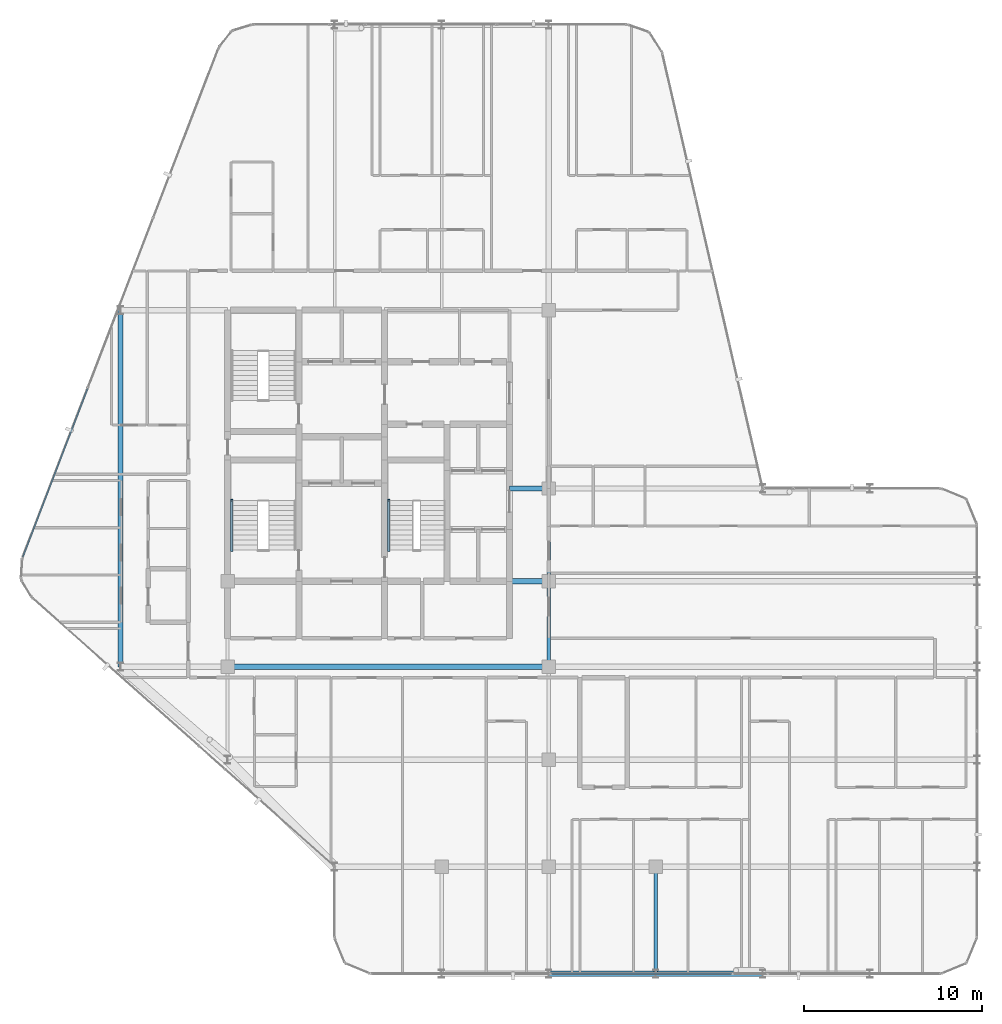
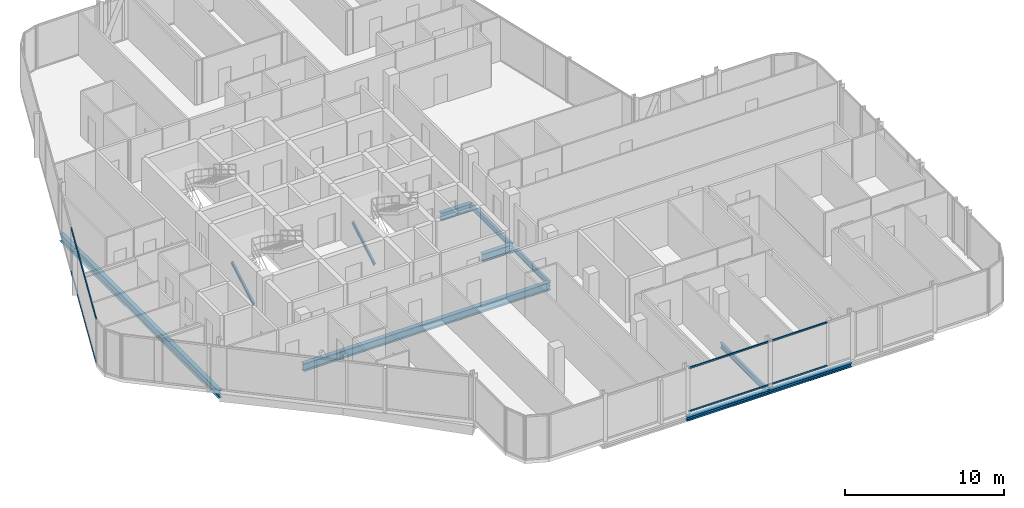
# One storey, part 9 of 29: 9 beams, 6 members, 2 elements without a shape of their own.
"""IFC4 building model written with IfcOpenShell, lengths in metres."""

from ifc_helpers import new_model, si_unit, direction, frame, origin, origin_2d, place, context, subcontext, project, spatial, hollow_rectangle, i_section, extrude, material, layer, layer_set, material_profile, profile_set, type_object, element, aggregate, save


model = new_model("IFC4")

# Units and contexts
model_context = context("Model", 3, precision=1e-05, world=origin(), true_north=direction((0.0, 1.0)))
body_context = subcontext(model_context, "Body", "Model", "MODEL_VIEW")
ifc_project = project(units=[si_unit("LENGTHUNIT", "METRE"), si_unit("AREAUNIT", "SQUARE_METRE"), si_unit("VOLUMEUNIT", "CUBIC_METRE"), si_unit("PLANEANGLEUNIT", "RADIAN"), si_unit("MASSUNIT", "GRAM", prefix="KILO")], contexts=[model_context])

# Site, building, storey
site_placement = place(None, origin())
site = spatial("IfcSite", under=ifc_project, at=site_placement, CompositionType="ELEMENT")
building_placement = place(site_placement, origin())
building = spatial("IfcBuilding", under=site, at=building_placement, Name="Keshet Zoharim Tower", CompositionType="ELEMENT")
storey_placement = place(building_placement, frame((0.0, 0.0, 210.60009765625)))
storey = spatial("IfcBuildingStorey", under=building, at=storey_placement, Name="L52", CompositionType="ELEMENT", Elevation=210.60009765625)

# Beams
ifc_material_1 = material(Name="Steel S355", Category="steel")
ifc_material_profile_1 = material_profile(ifc_material_1, i_section(OverallWidth=0.300048828125, OverallDepth=0.60009765625, WebThickness=0.015380859375, FlangeThickness=0.030029296875, FilletRadius=0.027099609375, at=origin_2d()), Name="HEB600")
ifc_profile_set_1 = profile_set([ifc_material_profile_1], Name="Steel S355")
beam_type_1 = type_object("IfcBeamType", Name="BM-CLK-HB600", PredefinedType="BEAM", material=ifc_profile_set_1)
for number, where, z_axis, x_axis, name in (
    (1, (30.800048828125, 22.699951171875, -0.610107421875), (1.0, 0.0, 0.0), (0.0, 1.0, 0.0), "L52 Core Wall Link Girder 01"),
    (2, (30.800048828125, 27.89990234375, -0.610107421875), (1.0, 0.0, 0.0), (0.0, 1.0, 0.0), "L52 Core Wall Link Girder 02"),
):
    element("IfcBeam", number, at=place(storey_placement, frame(where, z_axis=z_axis, x_axis=x_axis)), inside=storey, type_object=beam_type_1, Name=name, PredefinedType="BEAM", context=body_context, shape_type="SweptSolid", body=[
        extrude(i_section(OverallWidth=0.300048828125, OverallDepth=0.60009765625, WebThickness=0.015380859375, FlangeThickness=0.030029296875, FilletRadius=0.027099609375, at=origin_2d()), origin(), (0.0, 0.0, 1.0), 2.199951171875),
    ])
ifc_material_profile_2 = material_profile(ifc_material_1, i_section(OverallWidth=0.300048828125, OverallDepth=0.60009765625, WebThickness=0.015380859375, FlangeThickness=0.030029296875, FilletRadius=0.027099609375, at=origin_2d()), Name="HEB600")
ifc_profile_set_2 = profile_set([ifc_material_profile_2], Name="Steel S355")
beam_type_2 = type_object("IfcBeamType", Name="BM-LNG-HB600", PredefinedType="BEAM", material=ifc_profile_set_2)
beam_1_placement = place(storey_placement, frame((15.0, 17.89990234375, -0.610107421875), z_axis=(1.0, 0.0, 0.0), x_axis=(0.0, 1.0, 0.0)))
element("IfcBeam", 3, at=beam_1_placement, inside=storey, type_object=beam_type_2, Name="L52 Primary Girder X-012", PredefinedType="BEAM", context=body_context, shape_type="SweptSolid", body=[
    extrude(i_section(OverallWidth=0.300048828125, OverallDepth=0.60009765625, WebThickness=0.015380859375, FlangeThickness=0.030029296875, FilletRadius=0.027099609375, at=origin_2d()), origin(), (0.0, 0.0, 1.0), 18.0),
])
beam_2_placement = place(storey_placement, frame((9.0, 17.89990234375, -0.610107421875), z_axis=(0.0, 1.0, 0.0), x_axis=(-1.0, 0.0, 0.0)))
element("IfcBeam", 4, at=beam_2_placement, inside=storey, type_object=beam_type_2, Name="L52 Primary Girder Y-001", PredefinedType="BEAM", context=body_context, shape_type="SweptSolid", body=[
    extrude(i_section(OverallWidth=0.300048828125, OverallDepth=0.60009765625, WebThickness=0.015380859375, FlangeThickness=0.030029296875, FilletRadius=0.027099609375, at=origin_2d()), origin(), (0.0, 0.0, 1.0), 20.0),
])
ifc_material_profile_3 = material_profile(ifc_material_1, i_section(OverallWidth=0.300048828125, OverallDepth=0.300048828125, WebThickness=0.010986328125, FlangeThickness=0.01904296875, FilletRadius=0.027099609375, at=origin_2d()), Name="HEB300")
ifc_profile_set_3 = profile_set([ifc_material_profile_3], Name="Steel S355")
beam_type_3 = type_object("IfcBeamType", Name="BM-PRI-HB300", PredefinedType="BEAM", material=ifc_profile_set_3)
for number, where, z_axis, x_axis, name in (
    (5, (33.0, 0.699951171875, -0.460205078125), (1.0, 0.0, 0.0), (0.0, 1.0, 0.0), "L52 Primary Girder X-002"),
    (6, (39.0, 0.699951171875, -0.460205078125), (1.0, 0.0, 0.0), (0.0, 1.0, 0.0), "L52 Primary Girder X-003"),
):
    element("IfcBeam", number, at=place(storey_placement, frame(where, z_axis=z_axis, x_axis=x_axis)), inside=storey, type_object=beam_type_3, Name=name, PredefinedType="BEAM", context=body_context, shape_type="SweptSolid", body=[
        extrude(i_section(OverallWidth=0.300048828125, OverallDepth=0.300048828125, WebThickness=0.010986328125, FlangeThickness=0.01904296875, FilletRadius=0.027099609375, at=origin_2d()), origin(), (0.0, 0.0, 1.0), 6.0),
    ])
ifc_material_profile_4 = material_profile(ifc_material_1, i_section(OverallWidth=0.179931640625, OverallDepth=0.39990234375, WebThickness=0.008544921875, FlangeThickness=0.013427734375, FilletRadius=0.02099609375, at=origin_2d()), Name="IPE400")
ifc_profile_set_4 = profile_set([ifc_material_profile_4], Name="Steel S355")
beam_type_4 = type_object("IfcBeamType", Name="BM-PRI-IP400", PredefinedType="BEAM", material=ifc_profile_set_4)
beam_3_placement = place(storey_placement, frame((33.0, 17.89990234375, -0.510009765625), z_axis=(0.0, 1.0, 0.0), x_axis=(-1.0, 0.0, 0.0)))
element("IfcBeam", 7, at=beam_3_placement, inside=storey, type_object=beam_type_4, Name="L52 Primary Girder Y-008", PredefinedType="BEAM", context=body_context, shape_type="SweptSolid", body=[
    extrude(i_section(OverallWidth=0.179931640625, OverallDepth=0.39990234375, WebThickness=0.008544921875, FlangeThickness=0.013427734375, FilletRadius=0.02099609375, at=origin_2d()), origin(), (0.0, 0.0, 1.0), 4.800048828125),
])
beam_4_placement = place(storey_placement, frame((33.0, 22.699951171875, -0.510009765625), z_axis=(0.0, 1.0, 0.0), x_axis=(-1.0, 0.0, 0.0)))
element("IfcBeam", 8, at=beam_4_placement, inside=storey, type_object=beam_type_4, Name="L52 Primary Girder Y-009", PredefinedType="BEAM", context=body_context, shape_type="SweptSolid", body=[
    extrude(i_section(OverallWidth=0.179931640625, OverallDepth=0.39990234375, WebThickness=0.008544921875, FlangeThickness=0.013427734375, FilletRadius=0.02099609375, at=origin_2d()), origin(), (0.0, 0.0, 1.0), 5.199951171875),
])
beam_5_placement = place(storey_placement, frame((39.0, 0.699951171875, -0.510009765625), z_axis=(0.0, 1.0, 0.0), x_axis=(-1.0, 0.0, 0.0)))
element("IfcBeam", 9, at=beam_5_placement, inside=storey, type_object=beam_type_4, Name="L52 Primary Girder Y-012", PredefinedType="BEAM", context=body_context, shape_type="SweptSolid", body=[
    extrude(i_section(OverallWidth=0.179931640625, OverallDepth=0.39990234375, WebThickness=0.008544921875, FlangeThickness=0.013427734375, FilletRadius=0.02099609375, at=origin_2d()), origin(), (0.0, 0.0, 1.0), 6.0),
])

# Curtain wall, members
ifc_material_2 = material(Name="Aluminium 6063-T6", Category="aluminium")
ifc_layer = layer(ifc_material_2, 0.139892578125)
ifc_layer_set = layer_set([ifc_layer], Name="Aluminium 6063-T6")
curtain_wall_type = type_object("IfcCurtainWallType", Name="CW-SYS-05", PredefinedType="NOTDEFINED", material=ifc_layer_set)
curtain_wall_1_placement = place(storey_placement, origin())
curtain_wall_1 = element("IfcCurtainWall", 10, at=curtain_wall_1_placement, inside=storey, type_object=curtain_wall_type, Name="L52 Unitised Curtain Wall 06 Part 3", PredefinedType="NOTDEFINED")
ifc_material_profile_5 = material_profile(ifc_material_2, hollow_rectangle(XDim=0.074951171875, YDim=0.1201171875, WallThickness=0.00390625, at=origin_2d()), Name="TRN-75x120")
ifc_profile_set_5 = profile_set([ifc_material_profile_5], Name="Aluminium 6063-T6")
member_type_1 = type_object("IfcMemberType", Name="CWT-T12", PredefinedType="USERDEFINED", material=ifc_profile_set_5)
member_1_placement = place(storey_placement, frame((43.251953125, 0.699951171875, 0.034912109375), z_axis=(-1.0, 0.0, 0.0), x_axis=(0.0, -1.0, 0.0)))
member_1 = element("IfcMember", 11, at=member_1_placement, type_object=member_type_1, Name="CW-05 transom 1.1", ObjectType="TRANSOM", PredefinedType="USERDEFINED", context=body_context, shape_type="SweptSolid", body=[
    extrude(hollow_rectangle(XDim=0.074951171875, YDim=0.1201171875, WallThickness=0.00390625, at=origin_2d()), origin(), (0.0, 0.0, 1.0), 10.091064453125),
])
member_2_placement = place(storey_placement, frame((43.251953125, 0.699951171875, 3.35498046875), z_axis=(-1.0, 0.0, 0.0), x_axis=(0.0, -1.0, 0.0)))
member_2 = element("IfcMember", 12, at=member_2_placement, type_object=member_type_1, Name="CW-05 transom 1.2", ObjectType="TRANSOM", PredefinedType="USERDEFINED", context=body_context, shape_type="SweptSolid", body=[
    extrude(hollow_rectangle(XDim=0.074951171875, YDim=0.1201171875, WallThickness=0.00390625, at=origin_2d()), origin(), (0.0, 0.0, 1.0), 10.091064453125),
])
aggregate(curtain_wall_1, [member_1, member_2])

curtain_wall_2_placement = place(storey_placement, origin())
curtain_wall_2 = element("IfcCurtainWall", 13, at=curtain_wall_2_placement, inside=storey, type_object=curtain_wall_type, Name="L52 Unitised Curtain Wall 13", PredefinedType="NOTDEFINED")
member_3_placement = place(storey_placement, frame((3.522216796875, 24.058349609375, 0.034912109375), z_axis=(0.358993631387, 0.93334000912, 0.0), x_axis=(-0.93334000912, 0.358993631387, 0.0)))
member_3 = element("IfcMember", 14, at=member_3_placement, type_object=member_type_1, Name="CW-05 transom 1.1", ObjectType="TRANSOM", PredefinedType="USERDEFINED", context=body_context, shape_type="SweptSolid", body=[
    extrude(hollow_rectangle(XDim=0.074951171875, YDim=0.1201171875, WallThickness=0.00390625, at=origin_2d()), origin(), (0.0, 0.0, 1.0), 10.1181640625),
])
member_4_placement = place(storey_placement, frame((3.522216796875, 24.058349609375, 3.35498046875), z_axis=(0.358993631387, 0.93334000912, 0.0), x_axis=(-0.93334000912, 0.358993631387, 0.0)))
member_4 = element("IfcMember", 15, at=member_4_placement, type_object=member_type_1, Name="CW-05 transom 1.2", ObjectType="TRANSOM", PredefinedType="USERDEFINED", context=body_context, shape_type="SweptSolid", body=[
    extrude(hollow_rectangle(XDim=0.074951171875, YDim=0.1201171875, WallThickness=0.00390625, at=origin_2d()), origin(), (0.0, 0.0, 1.0), 10.1181640625),
])
aggregate(curtain_wall_2, [member_3, member_4])

# Members
ifc_material_profile_6 = material_profile(ifc_material_1, i_section(OverallWidth=0.1201171875, OverallDepth=0.239990234375, WebThickness=0.006103515625, FlangeThickness=0.009765625, FilletRadius=0.014892578125, at=origin_2d()), Name="IPE240")
ifc_profile_set_6 = profile_set([ifc_material_profile_6], Name="Steel S355")
member_type_2 = type_object("IfcMemberType", Name="MB-STRG-IP240", PredefinedType="STRINGER", material=ifc_profile_set_6)
for number, where, z_axis, x_axis, name in (
    (16, (15.22998046875, 24.43994140625, 0.119873046875), (0.0, 0.86689568745, 0.49848958573), (-1.0, 0.0, 0.0), "L52 ST-01 Flight Steel Stringer"),
    (17, (24.030029296875, 24.43994140625, 0.119873046875), (0.0, 0.86689568745, 0.49848958573), (-1.0, 0.0, 0.0), "L52 ST-03 Flight Steel Stringer"),
):
    element("IfcMember", number, at=place(storey_placement, frame(where, z_axis=z_axis, x_axis=x_axis)), inside=storey, type_object=member_type_2, Name=name, PredefinedType="STRINGER", context=body_context, shape_type="SweptSolid", body=[
        extrude(i_section(OverallWidth=0.1201171875, OverallDepth=0.239990234375, WebThickness=0.006103515625, FlangeThickness=0.009765625, FilletRadius=0.014892578125, at=origin_2d()), origin(), (0.0, 0.0, 1.0), 3.22998046875),
    ])

save(model, "model.ifc")
